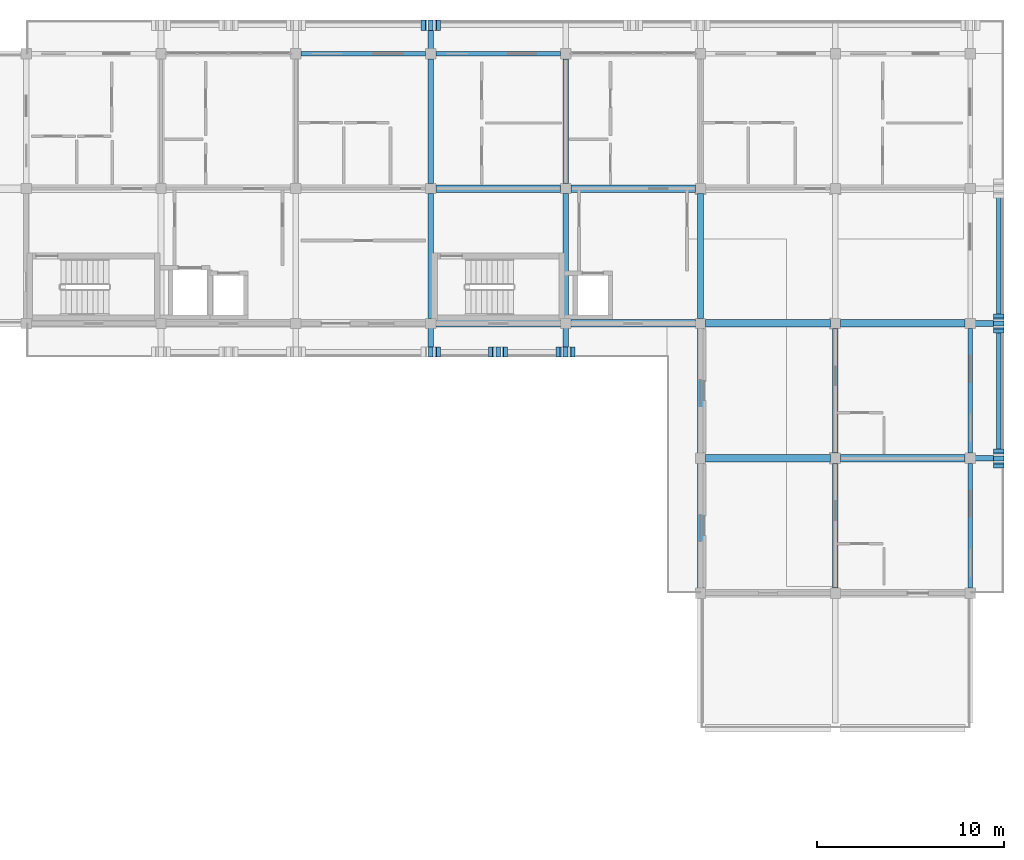
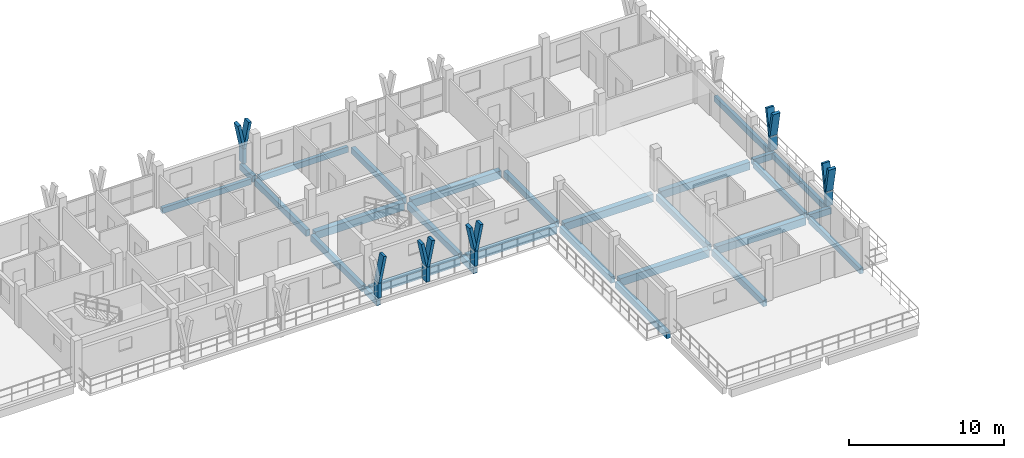
# One storey, part 24 of 60: 27 beams, 17 members.
"""IFC4 building model written with IfcOpenShell, lengths in metres."""

import ifcopenshell
import ifcopenshell.guid

model = None  # the IFC model being written
_history = None  # IfcOwnerHistory: only IFC2X3 demands one
_inside = {}  # id of a spatial element -> (the spatial element, [elements in it])
_under = {}  # id of a project, library or spatial element -> (it, [spatial elements below it])
_declared = {}  # id of a project -> (the project, [libraries it declares])
_typed = {}  # id of a type object -> (the type object, [elements of that type])
_made_of = {}  # id of a material, layer set ... -> (it, [elements and type objects made of it])


def new_model(schema):
    """Start an empty IFC model of exactly this schema.

    Asked for "IFC4X3", IfcOpenShell would pick the latest addendum, in which some entities
    have other attributes; the version numbers below select the first issue.
    IFC2X3 requires an IfcOwnerHistory on every rooted entity: one is made here for all.
    """
    global model, _history
    if schema == "IFC4X3":
        model = ifcopenshell.file(schema_version=(4, 3, 0, 0))
    else:
        model = ifcopenshell.file(schema=schema)
    _inside.clear()
    _under.clear()
    _declared.clear()
    _typed.clear()
    _made_of.clear()
    _history = None
    if model.schema == "IFC2X3":
        org = make("IfcOrganization", Name="unknown")
        user = make(
            "IfcPersonAndOrganization",
            ThePerson=make("IfcPerson", FamilyName="unknown"),
            TheOrganization=org,
        )
        app = make(
            "IfcApplication",
            ApplicationDeveloper=org,
            Version="unknown",
            ApplicationFullName="unknown",
            ApplicationIdentifier="unknown",
        )
        _history = make(
            "IfcOwnerHistory",
            OwningUser=user,
            OwningApplication=app,
            ChangeAction="ADDED",
            CreationDate=0,
        )
    return model


def make(cls, **values):
    """One entity of the class cls with the attributes given. An attribute that is None is left unset."""
    return model.create_entity(
        cls, **{name: value for name, value in values.items() if value is not None}
    )


def rooted(cls, **values):
    """An entity with a GlobalId (a new one), such as an element, a storey or a relation."""
    return make(cls, GlobalId=ifcopenshell.guid.new(), OwnerHistory=_history, **values)


def si_unit(unit_type, name, prefix=None):
    """IfcSIUnit, for example si_unit("LENGTHUNIT", "METRE", prefix="MILLI")."""
    return make("IfcSIUnit", UnitType=unit_type, Prefix=prefix, Name=name)


def assignment(units):
    """IfcUnitAssignment: the units of a project."""
    return None if units is None else make("IfcUnitAssignment", Units=units)


def point(xyz):
    """IfcCartesianPoint."""
    return None if xyz is None else make("IfcCartesianPoint", Coordinates=xyz)


def direction(xyz):
    """IfcDirection."""
    return None if xyz is None else make("IfcDirection", DirectionRatios=xyz)


def frame(location, z_axis=None, x_axis=None):
    """IfcAxis2Placement3D, a coordinate frame: its origin and axes. An axis left out is left unset."""
    return make(
        "IfcAxis2Placement3D",
        Location=point(location),
        Axis=direction(z_axis),
        RefDirection=direction(x_axis),
    )


def frame_2d(location, x_axis=None):
    """IfcAxis2Placement2D, a coordinate frame in the plane: its origin and x axis."""
    return make(
        "IfcAxis2Placement2D", Location=point(location), RefDirection=direction(x_axis)
    )


def origin():
    """The frame at (0, 0, 0) with its axes left unset."""
    return frame((0.0, 0.0, 0.0))


def origin_2d():
    """The frame at (0, 0) in the plane with its x axis left unset."""
    return frame_2d((0.0, 0.0))


def place(relative_to, where):
    """IfcLocalPlacement: puts the frame where relative to a parent placement (None: the world)."""
    return make(
        "IfcLocalPlacement", PlacementRelTo=relative_to, RelativePlacement=where
    )


def context(
    kind, dimensions, precision=None, world=None, true_north=None, identifier=None
):
    """IfcGeometricRepresentationContext, for example the 3D "Model" context."""
    return make(
        "IfcGeometricRepresentationContext",
        ContextIdentifier=identifier,
        ContextType=kind,
        CoordinateSpaceDimension=dimensions,
        Precision=precision,
        WorldCoordinateSystem=world,
        TrueNorth=true_north,
    )


def subcontext(parent, identifier, kind, view, scale=None):
    """IfcGeometricRepresentationSubContext, for example "Body" below "Model"."""
    return make(
        "IfcGeometricRepresentationSubContext",
        ContextIdentifier=identifier,
        ContextType=kind,
        ParentContext=parent,
        TargetScale=scale,
        TargetView=view,
    )


def project(units=None, contexts=None):
    """IfcProject with its units and contexts."""
    return rooted(
        "IfcProject",
        Name="project",
        RepresentationContexts=contexts,
        UnitsInContext=assignment(units),
    )


def spatial(cls, under=None, at=None, **own):
    """A site, building, storey or space (cls), placed at a placement, below another one or the project."""
    s = rooted(cls, ObjectPlacement=at, **own)
    if under is not None:
        _under.setdefault(under.id(), (under, []))[1].append(s)
    return s


def profile(cls, at=None, kind="AREA", **sizes):
    """A parametric profile (cls). Its sizes go by their IFC names, for example OverallWidth=200.0."""
    return make(cls, ProfileType=kind, Position=at, **sizes)


def rectangle(**sizes):
    """IfcRectangleProfileDef."""
    return profile("IfcRectangleProfileDef", **sizes)


def extrude(swept, where, along, depth):
    """IfcExtrudedAreaSolid: the profile swept, set in the frame where, extruded along a direction by depth."""
    return make(
        "IfcExtrudedAreaSolid",
        SweptArea=swept,
        Position=where,
        ExtrudedDirection=direction(along),
        Depth=depth,
    )


def shape(context_of_items, identifier, shape_type, items):
    """IfcShapeRepresentation: the items that make up one representation, for example the "Body"."""
    return make(
        "IfcShapeRepresentation",
        ContextOfItems=context_of_items,
        RepresentationIdentifier=identifier,
        RepresentationType=shape_type,
        Items=items,
    )


def material(Name=None, Category=None):
    """IfcMaterial."""
    return make("IfcMaterial", Name=Name, Category=Category)


def material_profile(
    of_material, cross_section, Name=None, Category=None, Priority=None
):
    """IfcMaterialProfile: a cross section and its material."""
    return make(
        "IfcMaterialProfile",
        Name=Name,
        Material=of_material,
        Profile=cross_section,
        Priority=Priority,
        Category=Category,
    )


def profile_set(profiles, Name=None, composite=None):
    """IfcMaterialProfileSet."""
    return make(
        "IfcMaterialProfileSet",
        Name=Name,
        MaterialProfiles=profiles,
        CompositeProfile=composite,
    )


def made_of(thing, what):
    """Note that an element or type object is made of a material, layer set ...; save() writes the relation."""
    if what is not None:
        _made_of.setdefault(what.id(), (what, []))[1].append(thing)
    return thing


def type_object(cls, material=None, **own):
    """A type object (cls), such as IfcWallType, which elements share."""
    return made_of(rooted(cls, **own), material)


def element(
    cls,
    number,
    at=None,
    inside=None,
    cuts=None,
    type_object=None,
    material=None,
    context=None,
    identifier="Body",
    shape_type=None,
    held_by="IfcProductDefinitionShape",
    body=None,
    shapes=None,
    **own,
):
    """One element of the class cls, such as IfcWall. Its Tag is "e" and its number.

    at: its placement. inside: the storey or other place that contains it. cuts: it is an
    opening in that element (IfcRelVoidsElement). A single representation is given by context,
    identifier, shape_type and body (its items); several are given by shapes. held_by: the class
    of the entity that holds the representations. save() writes the other relations.
    """
    e = rooted(cls, Tag="e%d" % number, ObjectPlacement=at, **own)
    if body is not None:
        shapes = [shape(context, identifier, shape_type, body)]
    if shapes is not None:
        e.Representation = make(held_by, Representations=shapes)
    if inside is not None:
        _inside.setdefault(inside.id(), (inside, []))[1].append(e)
    if cuts is not None:
        rooted(
            "IfcRelVoidsElement", RelatingBuildingElement=cuts, RelatedOpeningElement=e
        )
    if type_object is not None:
        _typed.setdefault(type_object.id(), (type_object, []))[1].append(e)
    return made_of(e, material)


def aggregate(whole, parts):
    """IfcRelAggregates: a whole, such as a stair, and the parts it consists of."""
    return rooted("IfcRelAggregates", RelatingObject=whole, RelatedObjects=parts)


def save(model, path):
    """Write the relations noted so far, then the file.

    IfcRelAggregates (storeys below a building ...), IfcRelContainedInSpatialStructure (elements
    in a storey), IfcRelDefinesByType, IfcRelAssociatesMaterial and IfcRelDeclares: one each for
    every whole, place, type object, material and project.
    """
    for whole, parts in _under.values():
        aggregate(whole, parts)
    for where, things in _inside.values():
        rooted(
            "IfcRelContainedInSpatialStructure",
            RelatedElements=things,
            RelatingStructure=where,
        )
    for kind, things in _typed.values():
        rooted("IfcRelDefinesByType", RelatedObjects=things, RelatingType=kind)
    for what, things in _made_of.values():
        rooted("IfcRelAssociatesMaterial", RelatedObjects=things, RelatingMaterial=what)
    for by, libraries in _declared.values():
        rooted("IfcRelDeclares", RelatingContext=by, RelatedDefinitions=libraries)
    model.write(path)


model = new_model("IFC4")

# Units and contexts
model_context = context("Model", 3, precision=1e-05, world=origin(), true_north=direction((0.0, 1.0)))
body_context = subcontext(model_context, "Body", "Model", "MODEL_VIEW")
ifc_project = project(units=[si_unit("LENGTHUNIT", "METRE"), si_unit("AREAUNIT", "SQUARE_METRE"), si_unit("VOLUMEUNIT", "CUBIC_METRE"), si_unit("PLANEANGLEUNIT", "RADIAN"), si_unit("MASSUNIT", "GRAM", prefix="KILO")], contexts=[model_context])

# Site, building, storey
site_placement = place(None, origin())
site = spatial("IfcSite", under=ifc_project, at=site_placement, CompositionType="ELEMENT")
building_placement = place(site_placement, origin())
building = spatial("IfcBuilding", under=site, at=building_placement, Name="Suanplinth Sawtooth Commons", CompositionType="ELEMENT")
storey_placement = place(building_placement, frame((0.0, 0.0, 31.5)))
storey = spatial("IfcBuildingStorey", under=building, at=storey_placement, Name="L09", CompositionType="ELEMENT", Elevation=31.5)

# Beams
ifc_material_1 = material(Name="Precast concrete C40/50", Category="concrete")
ifc_material_profile_1 = material_profile(ifc_material_1, rectangle(XDim=0.39990234375, YDim=0.60009765625, at=origin_2d()), Name="PC-GDR 400x600")
ifc_profile_set_1 = profile_set([ifc_material_profile_1], Name="Precast concrete C40/50")
beam_type_1 = type_object("IfcBeamType", Name="B-05", PredefinedType="USERDEFINED", material=ifc_profile_set_1)
for number, where, z_axis, x_axis, name in (
    (1, (158.675048828125, 108.0, -0.550048828125), (1.0, 0.0, 0.0), (0.0, 1.0, 0.0), "BMX-L09-B-22-15"),
    (2, (158.675048828125, 115.199951171875, -0.550048828125), (1.0, 0.0, 0.0), (0.0, 1.0, 0.0), "BMX-L09-B-22-16"),
    (3, (165.875, 108.0, -0.550048828125), (1.0, 0.0, 0.0), (0.0, 1.0, 0.0), "BMX-L09-B-23-15"),
    (4, (165.875, 115.199951171875, -0.550048828125), (1.0, 0.0, 0.0), (0.0, 1.0, 0.0), "BMX-L09-B-23-16"),
):
    element("IfcBeam", number, at=place(storey_placement, frame(where, z_axis=z_axis, x_axis=x_axis)), inside=storey, type_object=beam_type_1, Name=name, ObjectType="GIRDER", PredefinedType="USERDEFINED", context=body_context, shape_type="SweptSolid", body=[
        extrude(rectangle(XDim=0.39990234375, YDim=0.60009765625, at=origin_2d()), origin(), (0.0, 0.0, 1.0), 6.64990234375),
    ])
for number, where, z_axis, x_axis, name in (
    (5, (173.074951171875, 100.800048828125, -0.550048828125), (1.0, 0.0, 0.0), (0.0, 1.0, 0.0), "BMX-L09-B-24-14"),
    (6, (173.074951171875, 108.0, -0.550048828125), (1.0, 0.0, 0.0), (0.0, 1.0, 0.0), "BMX-L09-B-24-15"),
    (7, (180.27490234375, 100.800048828125, -0.550048828125), (1.0, 0.0, 0.0), (0.0, 1.0, 0.0), "BMX-L09-B-25-14"),
    (8, (180.27490234375, 108.0, -0.550048828125), (1.0, 0.0, 0.0), (0.0, 1.0, 0.0), "BMX-L09-B-25-15"),
):
    element("IfcBeam", number, at=place(storey_placement, frame(where, z_axis=z_axis, x_axis=x_axis)), inside=storey, type_object=beam_type_1, Name=name, ObjectType="GIRDER", PredefinedType="USERDEFINED", context=body_context, shape_type="SweptSolid", body=[
        extrude(rectangle(XDim=0.39990234375, YDim=0.60009765625, at=origin_2d()), origin(), (0.0, 0.0, 1.0), 6.650146484375),
    ])
ifc_material_profile_2 = material_profile(ifc_material_1, rectangle(XDim=0.300048828125, YDim=0.5, at=origin_2d()), Name="PC-BM 300x500")
ifc_profile_set_2 = profile_set([ifc_material_profile_2], Name="Precast concrete C40/50")
beam_type_2 = type_object("IfcBeamType", Name="B-07", PredefinedType="BEAM", material=ifc_profile_set_2)
beam_1_placement = place(storey_placement, frame((158.39990234375, 108.27490234375, -0.5), z_axis=(0.0, 1.0, 0.0), x_axis=(-1.0, 0.0, 0.0)))
element("IfcBeam", 9, at=beam_1_placement, inside=storey, type_object=beam_type_2, Name="BMY-L09-B-22-15", PredefinedType="BEAM", context=body_context, shape_type="SweptSolid", body=[
    extrude(rectangle(XDim=0.300048828125, YDim=0.5, at=origin_2d()), origin(), (0.0, 0.0, 1.0), 6.650146484375),
])
beam_2_placement = place(storey_placement, frame((158.39990234375, 115.47509765625, -0.5), z_axis=(0.0, 1.0, 0.0), x_axis=(-1.0, 0.0, 0.0)))
element("IfcBeam", 10, at=beam_2_placement, inside=storey, type_object=beam_type_2, Name="BMY-L09-B-22-16", PredefinedType="BEAM", context=body_context, shape_type="SweptSolid", body=[
    extrude(rectangle(XDim=0.300048828125, YDim=0.5, at=origin_2d()), origin(), (0.0, 0.0, 1.0), 6.64990234375),
])
beam_3_placement = place(storey_placement, frame((165.60009765625, 108.27490234375, -0.5), z_axis=(0.0, 1.0, 0.0), x_axis=(-1.0, 0.0, 0.0)))
element("IfcBeam", 11, at=beam_3_placement, inside=storey, type_object=beam_type_2, Name="BMY-L09-B-23-15", PredefinedType="BEAM", context=body_context, shape_type="SweptSolid", body=[
    extrude(rectangle(XDim=0.300048828125, YDim=0.5, at=origin_2d()), origin(), (0.0, 0.0, 1.0), 6.650146484375),
])
for number, where, z_axis, x_axis, name in (
    (12, (165.60009765625, 115.47509765625, -0.5), (0.0, 1.0, 0.0), (-1.0, 0.0, 0.0), "BMY-L09-B-23-16"),
    (13, (172.800048828125, 93.875, -0.5), (0.0, 1.0, 0.0), (-1.0, 0.0, 0.0), "BMY-L09-B-24-13"),
):
    element("IfcBeam", number, at=place(storey_placement, frame(where, z_axis=z_axis, x_axis=x_axis)), inside=storey, type_object=beam_type_2, Name=name, PredefinedType="BEAM", context=body_context, shape_type="SweptSolid", body=[
        extrude(rectangle(XDim=0.300048828125, YDim=0.5, at=origin_2d()), origin(), (0.0, 0.0, 1.0), 6.64990234375),
    ])
for number, where, z_axis, x_axis, name in (
    (14, (172.800048828125, 101.074951171875, -0.5), (0.0, 1.0, 0.0), (-1.0, 0.0, 0.0), "BMY-L09-B-24-14"),
    (15, (172.800048828125, 108.27490234375, -0.5), (0.0, 1.0, 0.0), (-1.0, 0.0, 0.0), "BMY-L09-B-24-15"),
):
    element("IfcBeam", number, at=place(storey_placement, frame(where, z_axis=z_axis, x_axis=x_axis)), inside=storey, type_object=beam_type_2, Name=name, PredefinedType="BEAM", context=body_context, shape_type="SweptSolid", body=[
        extrude(rectangle(XDim=0.300048828125, YDim=0.5, at=origin_2d()), origin(), (0.0, 0.0, 1.0), 6.650146484375),
    ])
beam_4_placement = place(storey_placement, frame((180.0, 93.875, -0.5), z_axis=(0.0, 1.0, 0.0), x_axis=(-1.0, 0.0, 0.0)))
element("IfcBeam", 16, at=beam_4_placement, inside=storey, type_object=beam_type_2, Name="BMY-L09-B-25-13", PredefinedType="BEAM", context=body_context, shape_type="SweptSolid", body=[
    extrude(rectangle(XDim=0.300048828125, YDim=0.5, at=origin_2d()), origin(), (0.0, 0.0, 1.0), 6.64990234375),
])
beam_5_placement = place(storey_placement, frame((180.0, 101.074951171875, -0.5), z_axis=(0.0, 1.0, 0.0), x_axis=(-1.0, 0.0, 0.0)))
element("IfcBeam", 17, at=beam_5_placement, inside=storey, type_object=beam_type_2, Name="BMY-L09-B-25-14", PredefinedType="BEAM", context=body_context, shape_type="SweptSolid", body=[
    extrude(rectangle(XDim=0.300048828125, YDim=0.5, at=origin_2d()), origin(), (0.0, 0.0, 1.0), 6.650146484375),
])
for number, where, z_axis, x_axis, name in (
    (18, (158.39990234375, 122.39990234375, -0.429931640625), (0.0, 1.0, 0.0), (-1.0, 0.0, 0.0), "Balcony Outrigger L09-B-N-22"),
    (19, (187.199951171875, 100.800048828125, -0.429931640625), (1.0, 0.0, 0.0), (0.0, 1.0, 0.0), "Balcony Outrigger L09-B-E-14"),
    (20, (187.199951171875, 108.0, -0.429931640625), (1.0, 0.0, 0.0), (0.0, 1.0, 0.0), "Balcony Outrigger L09-B-E-15"),
):
    element("IfcBeam", number, at=place(storey_placement, frame(where, z_axis=z_axis, x_axis=x_axis)), inside=storey, type_object=beam_type_2, Name=name, PredefinedType="BEAM", context=body_context, shape_type="SweptSolid", body=[
        extrude(rectangle(XDim=0.300048828125, YDim=0.5, at=origin_2d()), origin(), (0.0, 0.0, 1.0), 1.64013671875),
    ])
for number, where, z_axis, x_axis, name in (
    (21, (158.39990234375, 108.0, -0.425048828125), (0.0, -1.0, 0.0), (1.0, 0.0, 0.0), "Balcony Outrigger L09-B-SC-22"),
    (22, (165.60009765625, 108.0, -0.425048828125), (0.0, -1.0, 0.0), (1.0, 0.0, 0.0), "Balcony Outrigger L09-B-SC-23"),
):
    element("IfcBeam", number, at=place(storey_placement, frame(where, z_axis=z_axis, x_axis=x_axis)), inside=storey, type_object=beam_type_2, Name=name, PredefinedType="BEAM", context=body_context, shape_type="SweptSolid", body=[
        extrude(rectangle(XDim=0.300048828125, YDim=0.5, at=origin_2d()), origin(), (0.0, 0.0, 1.0), 1.639892578125),
    ])
ifc_material_profile_3 = material_profile(ifc_material_1, rectangle(XDim=0.25, YDim=0.449951171875, at=origin_2d()), Name="PC-SP 250x450")
ifc_profile_set_3 = profile_set([ifc_material_profile_3], Name="Precast concrete C40/50")
beam_type_3 = type_object("IfcBeamType", Name="B-09", PredefinedType="SPANDREL", material=ifc_profile_set_3)
for number, where, z_axis, x_axis, name in (
    (23, (151.47509765625, 122.39990234375, -0.47509765625), (1.0, 0.0, 0.0), (0.0, 1.0, 0.0), "BMX-L09-B-21-17"),
    (24, (158.675048828125, 122.39990234375, -0.47509765625), (1.0, 0.0, 0.0), (0.0, 1.0, 0.0), "BMX-L09-B-22-17"),
    (25, (187.199951171875, 93.875, -0.47509765625), (0.0, 1.0, 0.0), (-1.0, 0.0, 0.0), "BMY-L09-B-26-13"),
):
    element("IfcBeam", number, at=place(storey_placement, frame(where, z_axis=z_axis, x_axis=x_axis)), inside=storey, type_object=beam_type_3, Name=name, PredefinedType="SPANDREL", context=body_context, shape_type="SweptSolid", body=[
        extrude(rectangle(XDim=0.25, YDim=0.449951171875, at=origin_2d()), origin(), (0.0, 0.0, 1.0), 6.64990234375),
    ])
beam_6_placement = place(storey_placement, frame((187.199951171875, 101.074951171875, -0.47509765625), z_axis=(0.0, 1.0, 0.0), x_axis=(-1.0, 0.0, 0.0)))
element("IfcBeam", 26, at=beam_6_placement, inside=storey, type_object=beam_type_3, Name="BMY-L09-B-26-14", PredefinedType="SPANDREL", context=body_context, shape_type="SweptSolid", body=[
    extrude(rectangle(XDim=0.25, YDim=0.449951171875, at=origin_2d()), origin(), (0.0, 0.0, 1.0), 6.650146484375),
])
beam_7_placement = place(storey_placement, frame((188.719970703125, 100.64990234375, -0.405029296875), z_axis=(0.0, 1.0, 0.0), x_axis=(-1.0, 0.0, 0.0)))
element("IfcBeam", 27, at=beam_7_placement, inside=storey, type_object=beam_type_3, Name="Balcony Edge Fascia L09-B-E", PredefinedType="SPANDREL", context=body_context, shape_type="SweptSolid", body=[
    extrude(rectangle(XDim=0.25, YDim=0.449951171875, at=origin_2d()), origin(), (0.0, 0.0, 1.0), 14.7001953125),
])

# Members
ifc_material_2 = material(Name="Pigmented precast concrete C40/50", Category="concrete")
ifc_material_profile_4 = material_profile(ifc_material_2, rectangle(XDim=0.260009765625, YDim=0.550048828125, at=origin_2d()), Name="PC-FIN 260x550")
ifc_profile_set_4 = profile_set([ifc_material_profile_4], Name="Pigmented precast concrete C40/50")
member_type_1 = type_object("IfcMemberType", Name="M-09", PredefinedType="USERDEFINED", material=ifc_profile_set_4)
for number, where, z_axis, x_axis, name in (
    (28, (158.39990234375, 123.919921875, 0.0), (0.0, 0.0, 1.0), (1.0, 0.0, 0.0), "Y-Blade Stem L09-B-N-04"),
    (29, (188.719970703125, 100.800048828125, 0.0), (0.0, 0.0, 1.0), (0.0, 1.0, 0.0), "Y-Blade Stem L09-B-E-08"),
    (30, (188.719970703125, 108.0, 0.0), (0.0, 0.0, 1.0), (0.0, 1.0, 0.0), "Y-Blade Stem L09-B-E-09"),
    (31, (158.39990234375, 106.47998046875, 0.0), (0.0, 0.0, 1.0), (1.0, 0.0, 0.0), "Y-Blade Stem L09-B-SC-14"),
    (32, (162.0, 106.47998046875, 0.0), (0.0, 0.0, 1.0), (1.0, 0.0, 0.0), "Y-Blade Stem L09-B-SC-15"),
    (33, (165.60009765625, 106.47998046875, 0.0), (0.0, 0.0, 1.0), (1.0, 0.0, 0.0), "Y-Blade Stem L09-B-SC-16"),
):
    element("IfcMember", number, at=place(storey_placement, frame(where, z_axis=z_axis, x_axis=x_axis)), inside=storey, type_object=member_type_1, Name=name, ObjectType="SHADING FIN", PredefinedType="USERDEFINED", context=body_context, shape_type="SweptSolid", body=[
        extrude(rectangle(XDim=0.260009765625, YDim=0.550048828125, at=origin_2d()), origin(), (0.0, 0.0, 1.0), 1.169921875),
    ])
ifc_material_profile_5 = material_profile(ifc_material_2, rectangle(XDim=0.219970703125, YDim=0.550048828125, at=origin_2d()), Name="PC-FIN 220x550")
ifc_profile_set_5 = profile_set([ifc_material_profile_5], Name="Pigmented precast concrete C40/50")
member_type_2 = type_object("IfcMemberType", Name="M-10", PredefinedType="USERDEFINED", material=ifc_profile_set_5)
for number, where, z_axis, x_axis, name in (
    (34, (158.39990234375, 123.919921875, 1.1298828125), (-0.196415357203, 0.0, 0.980520783795), (0.980520783795, 0.0, 0.196415357203), "Y-Blade Arm L L09-B-N-04"),
    (35, (158.39990234375, 123.919921875, 1.1298828125), (0.196530428008, 0.0, 0.98049772609), (-0.98049772609, 0.0, 0.196530428008), "Y-Blade Arm R L09-B-N-04"),
    (36, (188.719970703125, 100.800048828125, 1.1298828125), (0.0, -0.196530428008, 0.98049772609), (0.0, 0.98049772609, 0.196530428008), "Y-Blade Arm L L09-B-E-08"),
    (37, (188.719970703125, 100.800048828125, 1.1298828125), (0.0, 0.196415357203, 0.980520783795), (0.0, -0.980520783795, 0.196415357203), "Y-Blade Arm R L09-B-E-08"),
    (38, (188.719970703125, 108.0, 1.1298828125), (0.0, -0.196530428008, 0.98049772609), (0.0, 0.98049772609, 0.196530428008), "Y-Blade Arm L L09-B-E-09"),
    (39, (188.719970703125, 108.0, 1.1298828125), (0.0, 0.196530428008, 0.98049772609), (0.0, -0.98049772609, 0.196530428008), "Y-Blade Arm R L09-B-E-09"),
    (40, (158.39990234375, 106.47998046875, 1.1298828125), (0.196530428008, 0.0, 0.98049772609), (-0.98049772609, 0.0, 0.196530428008), "Y-Blade Arm R L09-B-SC-14"),
    (41, (162.0, 106.47998046875, 1.1298828125), (-0.196530428008, 0.0, 0.98049772609), (0.98049772609, 0.0, 0.196530428008), "Y-Blade Arm L L09-B-SC-15"),
    (42, (162.0, 106.47998046875, 1.1298828125), (0.196530428008, 0.0, 0.98049772609), (-0.98049772609, 0.0, 0.196530428008), "Y-Blade Arm R L09-B-SC-15"),
    (43, (165.60009765625, 106.47998046875, 1.1298828125), (-0.196530428008, 0.0, 0.98049772609), (0.98049772609, 0.0, 0.196530428008), "Y-Blade Arm L L09-B-SC-16"),
    (44, (165.60009765625, 106.47998046875, 1.1298828125), (0.196415357203, 0.0, 0.980520783795), (-0.980520783795, 0.0, 0.196415357203), "Y-Blade Arm R L09-B-SC-16"),
):
    element("IfcMember", number, at=place(storey_placement, frame(where, z_axis=z_axis, x_axis=x_axis)), inside=storey, type_object=member_type_2, Name=name, ObjectType="SHADING FIN", PredefinedType="USERDEFINED", context=body_context, shape_type="SweptSolid", body=[
        extrude(rectangle(XDim=0.219970703125, YDim=0.550048828125, at=origin_2d()), origin(), (0.0, 0.0, 1.0), 2.039794921875),
    ])

save(model, "model.ifc")
